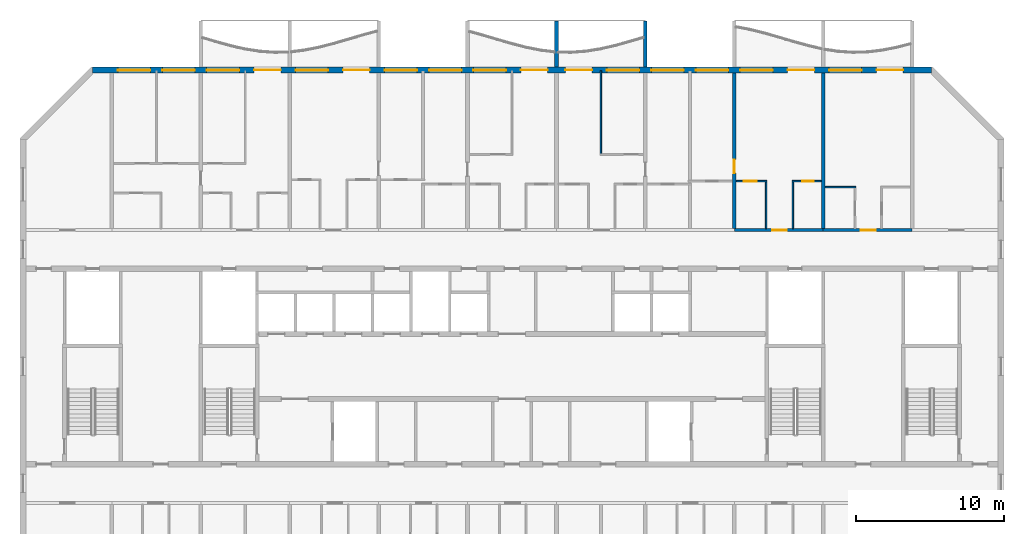
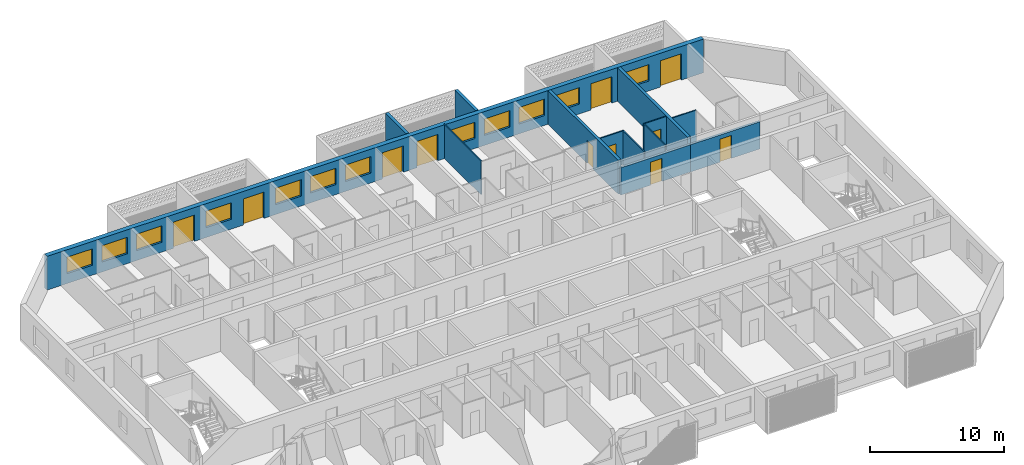
# One storey, part 10 of 27: 13 walls, 12 windows, 11 doors, 23 openings.
"""IFC4 building model written with IfcOpenShell, lengths in metres."""

from ifc_helpers import new_model, si_unit, direction, frame, frame_2d, origin, place, context, subcontext, project, spatial, polyline, rectangle, outline, extrude, source, transform, mapped, material, layer, layer_set, type_object, element, fill, save


model = new_model("IFC4")

# Units and contexts
model_context = context("Model", 3, precision=1e-05, world=origin(), true_north=direction((0.0, 1.0)))
body_context = subcontext(model_context, "Body", "Model", "MODEL_VIEW")
ifc_project = project(units=[si_unit("LENGTHUNIT", "METRE"), si_unit("AREAUNIT", "SQUARE_METRE"), si_unit("VOLUMEUNIT", "CUBIC_METRE"), si_unit("PLANEANGLEUNIT", "RADIAN"), si_unit("MASSUNIT", "GRAM", prefix="KILO")], contexts=[model_context])

# Site, building, storey
site_placement = place(None, origin())
site = spatial("IfcSite", under=ifc_project, at=site_placement, CompositionType="ELEMENT")
building_placement = place(site_placement, origin())
building = spatial("IfcBuilding", under=site, at=building_placement, Name="Poui Terraces", CompositionType="ELEMENT")
storey_placement = place(building_placement, frame((0.0, 0.0, 254.39990234375)))
storey = spatial("IfcBuildingStorey", under=building, at=storey_placement, Name="L71", CompositionType="ELEMENT", Elevation=254.39990234375)

# Wall, opening, door
ifc_material_1 = material(Name="Concrete 50 MPa", Category="concrete")
ifc_layer_1 = layer(ifc_material_1, 0.199951171875)
ifc_layer_set_1 = layer_set([ifc_layer_1], Name="Concrete 50 MPa")
wall_type_1 = type_object("IfcWallType", Name="CORRIDOR WALL 200 50MPa", PredefinedType="SHEAR", material=ifc_layer_set_1)
wall_1_placement = place(storey_placement, frame((66.0, 30.39990234375, 0.0), z_axis=(0.0, 0.0, 1.0), x_axis=(1.0, 0.0, 0.0)))
wall_1 = element("IfcWall", 1, at=wall_1_placement, inside=storey, type_object=wall_type_1, Name="CORRIDOR WALL LINE E BAY 9", PredefinedType="SHEAR", context=body_context, shape_type="SweptSolid", body=[
    extrude(rectangle(XDim=6.0, YDim=0.199951171875, at=frame_2d((3.0, 0.0))), origin(), (0.0, 0.0, 1.0), 2.47998046875),
])
opening_1_placement = place(wall_1_placement, frame((2.550048828125, 0.0, 0.0)))
opening_1 = element("IfcOpeningElement", 2, at=opening_1_placement, cuts=wall_1, Name="Opening FD30S", PredefinedType="OPENING", context=body_context, shape_type="SweptSolid", body=[
    extrude(rectangle(XDim=1.0, YDim=2.10009765625, at=frame_2d((0.5, 1.050048828125))), frame((0.0, 0.10986328125, 0.0), z_axis=(0.0, -1.0, 0.0), x_axis=(1.0, 0.0, 0.0)), (0.0, 0.0, 1.0), 0.219970703125),
])
ifc_material_2 = material(Name="Steel fire door", Category="steel")
door_type_1 = type_object("IfcDoorType", Name="FLAT ENTRANCE DOOR 1000 X 2100", OperationType="NOTDEFINED", PredefinedType="DOOR", material=ifc_material_2)
door_1_placement = place(opening_1_placement, origin())
door_1 = element("IfcDoor", 3, at=door_1_placement, inside=storey, type_object=door_type_1, Name="FLAT ENTRANCE DOOR 055", OperationType="SINGLE_SWING_RIGHT", OverallHeight=2.10009765625, OverallWidth=1.0, PredefinedType="DOOR", context=body_context, shape_type="SweptSolid", body=[
    extrude(rectangle(XDim=1.0, YDim=2.10009765625, at=frame_2d((0.5, 1.050048828125))), frame((0.0, 0.02490234375, 0.0), z_axis=(0.0, -1.0, 0.0), x_axis=(1.0, 0.0, 0.0)), (0.0, 0.0, 1.0), 0.050048828125),
])
fill(opening_1, door_1)

wall_2_placement = place(storey_placement, frame((72.0, 30.39990234375, 0.0), z_axis=(0.0, 0.0, 1.0), x_axis=(1.0, 0.0, 0.0)))
wall_2 = element("IfcWall", 4, at=wall_2_placement, inside=storey, type_object=wall_type_1, Name="CORRIDOR WALL LINE E BAY 10", PredefinedType="SHEAR", context=body_context, shape_type="SweptSolid", body=[
    extrude(rectangle(XDim=6.0, YDim=0.199951171875, at=frame_2d((3.0, 0.0))), origin(), (0.0, 0.0, 1.0), 2.47998046875),
])
opening_2_placement = place(wall_2_placement, frame((2.550048828125, 0.0, 0.0)))
opening_2 = element("IfcOpeningElement", 5, at=opening_2_placement, cuts=wall_2, Name="Opening FD30S", PredefinedType="OPENING", context=body_context, shape_type="SweptSolid", body=[
    extrude(rectangle(XDim=1.0, YDim=2.10009765625, at=frame_2d((0.5, 1.050048828125))), frame((0.0, 0.10986328125, 0.0), z_axis=(0.0, -1.0, 0.0), x_axis=(1.0, 0.0, 0.0)), (0.0, 0.0, 1.0), 0.219970703125),
])
door_2_placement = place(opening_2_placement, origin())
door_2 = element("IfcDoor", 6, at=door_2_placement, inside=storey, type_object=door_type_1, Name="FLAT ENTRANCE DOOR 058", OperationType="SINGLE_SWING_RIGHT", OverallHeight=2.10009765625, OverallWidth=1.0, PredefinedType="DOOR", context=body_context, shape_type="SweptSolid", body=[
    extrude(rectangle(XDim=1.0, YDim=2.10009765625, at=frame_2d((0.5, 1.050048828125))), frame((0.0, 0.02490234375, 0.0), z_axis=(0.0, -1.0, 0.0), x_axis=(1.0, 0.0, 0.0)), (0.0, 0.0, 1.0), 0.050048828125),
])
fill(opening_2, door_2)

ifc_layer_2 = layer(ifc_material_1, 0.25)
ifc_layer_set_2 = layer_set([ifc_layer_2], Name="Concrete 50 MPa")
wall_type_2 = type_object("IfcWallType", Name="CROSS WALL 250 50MPa", PredefinedType="SHEAR", material=ifc_layer_set_2)
wall_3_placement = place(storey_placement, frame((66.0, 30.5, 0.0), z_axis=(0.0, 0.0, 1.0), x_axis=(0.0, 1.0, 0.0)))
wall_3 = element("IfcWall", 7, at=wall_3_placement, inside=storey, type_object=wall_type_2, Name="CROSS WALL LINE 12 NORTH", PredefinedType="SHEAR", context=body_context, shape_type="SweptSolid", body=[
    extrude(rectangle(XDim=10.5, YDim=0.25, at=frame_2d((5.25, 0.0))), origin(), (0.0, 0.0, 1.0), 3.080078125),
])
opening_3_placement = place(wall_3_placement, frame((3.75, 0.0, 0.0)))
opening_3 = element("IfcOpeningElement", 8, at=opening_3_placement, cuts=wall_3, Name="Opening D90", PredefinedType="OPENING", context=body_context, shape_type="SweptSolid", body=[
    extrude(rectangle(XDim=0.89990234375, YDim=2.10009765625, at=frame_2d((0.449951171875, 1.050048828125))), frame((0.0, 0.135009765625, 0.0), z_axis=(0.0, -1.0, 0.0), x_axis=(1.0, 0.0, 0.0)), (0.0, 0.0, 1.0), 0.27001953125),
])
ifc_material_3 = material(Name="Solid core timber door", Category="wood")
door_type_2 = type_object("IfcDoorType", Name="INTERNAL DOOR 900 X 2100", OperationType="NOTDEFINED", PredefinedType="DOOR", material=ifc_material_3)
door_3_placement = place(opening_3_placement, origin())
door_3 = element("IfcDoor", 9, at=door_3_placement, inside=storey, type_object=door_type_2, Name="INTERNAL DOOR 053", OperationType="SINGLE_SWING_LEFT", OverallHeight=2.10009765625, OverallWidth=0.89990234375, PredefinedType="DOOR", context=body_context, shape_type="SweptSolid", body=[
    extrude(rectangle(XDim=0.89990234375, YDim=2.10009765625, at=frame_2d((0.449951171875, 1.050048828125))), frame((0.0, 0.02490234375, 0.0), z_axis=(0.0, -1.0, 0.0), x_axis=(1.0, 0.0, 0.0)), (0.0, 0.0, 1.0), 0.050048828125),
])
fill(opening_3, door_3)

# Wall
wall_4_placement = place(storey_placement, frame((72.0, 30.5, 0.0), z_axis=(0.0, 0.0, 1.0), x_axis=(0.0, 1.0, 0.0)))
element("IfcWall", 10, at=wall_4_placement, inside=storey, type_object=wall_type_2, Name="CROSS WALL LINE 13 NORTH", PredefinedType="SHEAR", context=body_context, shape_type="SweptSolid", body=[
    extrude(rectangle(XDim=10.5, YDim=0.25, at=frame_2d((5.25, 0.0))), origin(), (0.0, 0.0, 1.0), 3.080078125),
])

# Wall, openings, doors, windows
ifc_material_4 = material(Name="Precast concrete 40 MPa", Category="concrete")
ifc_layer_3 = layer(ifc_material_4, 0.39990234375)
ifc_layer_set_3 = layer_set([ifc_layer_3], Name="Precast concrete 40 MPa")
wall_type_3 = type_object("IfcWallType", Name="EXTERNAL WALL 400", PredefinedType="STANDARD", material=ifc_layer_set_3)
wall_5_placement = place(storey_placement, frame((79.317138671875, 41.199951171875, 0.0), z_axis=(0.0, 0.0, 1.0), x_axis=(-1.0, 0.0, 0.0)))
wall_5 = element("IfcWall", 11, at=wall_5_placement, inside=storey, type_object=wall_type_3, Name="EXTERNAL WALL N", PredefinedType="STANDARD", context=body_context, shape_type="SweptSolid", body=[
    extrude(rectangle(XDim=56.63427734375, YDim=0.39990234375, at=frame_2d((28.317138671875, 0.0))), origin(), (0.0, 0.0, 1.0), 3.080078125),
])
opening_4_placement = place(wall_5_placement, frame((52.71728515625, 0.0, 0.89990234375)))
opening_4 = element("IfcOpeningElement", 12, at=opening_4_placement, cuts=wall_5, Name="Opening W1", PredefinedType="OPENING", context=body_context, shape_type="SweptSolid", body=[
    extrude(rectangle(XDim=2.199951171875, YDim=1.5, at=frame_2d((1.10009765625, 0.75))), frame((0.0, 0.2099609375, 0.0), z_axis=(0.0, -1.0, 0.0), x_axis=(1.0, 0.0, 0.0)), (0.0, 0.0, 1.0), 0.419921875),
])
opening_5_placement = place(wall_5_placement, frame((49.71728515625, 0.0, 0.89990234375)))
opening_5 = element("IfcOpeningElement", 13, at=opening_5_placement, cuts=wall_5, Name="Opening W1", PredefinedType="OPENING", context=body_context, shape_type="SweptSolid", body=[
    extrude(rectangle(XDim=2.199951171875, YDim=1.5, at=frame_2d((1.10009765625, 0.75))), frame((0.0, 0.2099609375, 0.0), z_axis=(0.0, -1.0, 0.0), x_axis=(1.0, 0.0, 0.0)), (0.0, 0.0, 1.0), 0.419921875),
])
opening_6_placement = place(wall_5_placement, frame((46.71728515625, 0.0, 0.89990234375)))
opening_6 = element("IfcOpeningElement", 14, at=opening_6_placement, cuts=wall_5, Name="Opening W1", PredefinedType="OPENING", context=body_context, shape_type="SweptSolid", body=[
    extrude(rectangle(XDim=2.199951171875, YDim=1.5, at=frame_2d((1.10009765625, 0.75))), frame((0.0, 0.2099609375, 0.0), z_axis=(0.0, -1.0, 0.0), x_axis=(1.0, 0.0, 0.0)), (0.0, 0.0, 1.0), 0.419921875),
])
opening_7_placement = place(wall_5_placement, frame((43.917236328125, 0.0, 0.0)))
opening_7 = element("IfcOpeningElement", 15, at=opening_7_placement, cuts=wall_5, Name="Opening BD1", PredefinedType="OPENING", context=body_context, shape_type="SweptSolid", body=[
    extrude(rectangle(XDim=1.800048828125, YDim=2.39990234375, at=frame_2d((0.89990234375, 1.199951171875))), frame((0.0, 0.2099609375, 0.0), z_axis=(0.0, -1.0, 0.0), x_axis=(1.0, 0.0, 0.0)), (0.0, 0.0, 1.0), 0.419921875),
])
opening_8_placement = place(wall_5_placement, frame((40.71728515625, 0.0, 0.89990234375)))
opening_8 = element("IfcOpeningElement", 16, at=opening_8_placement, cuts=wall_5, Name="Opening W1", PredefinedType="OPENING", context=body_context, shape_type="SweptSolid", body=[
    extrude(rectangle(XDim=2.199951171875, YDim=1.5, at=frame_2d((1.10009765625, 0.75))), frame((0.0, 0.2099609375, 0.0), z_axis=(0.0, -1.0, 0.0), x_axis=(1.0, 0.0, 0.0)), (0.0, 0.0, 1.0), 0.419921875),
])
opening_9_placement = place(wall_5_placement, frame((37.917236328125, 0.0, 0.0)))
opening_9 = element("IfcOpeningElement", 17, at=opening_9_placement, cuts=wall_5, Name="Opening BD1", PredefinedType="OPENING", context=body_context, shape_type="SweptSolid", body=[
    extrude(rectangle(XDim=1.800048828125, YDim=2.39990234375, at=frame_2d((0.89990234375, 1.199951171875))), frame((0.0, 0.2099609375, 0.0), z_axis=(0.0, -1.0, 0.0), x_axis=(1.0, 0.0, 0.0)), (0.0, 0.0, 1.0), 0.419921875),
])
opening_10_placement = place(wall_5_placement, frame((34.71728515625, 0.0, 0.89990234375)))
opening_10 = element("IfcOpeningElement", 18, at=opening_10_placement, cuts=wall_5, Name="Opening W1", PredefinedType="OPENING", context=body_context, shape_type="SweptSolid", body=[
    extrude(rectangle(XDim=2.199951171875, YDim=1.5, at=frame_2d((1.10009765625, 0.75))), frame((0.0, 0.2099609375, 0.0), z_axis=(0.0, -1.0, 0.0), x_axis=(1.0, 0.0, 0.0)), (0.0, 0.0, 1.0), 0.419921875),
])
opening_11_placement = place(wall_5_placement, frame((31.71728515625, 0.0, 0.89990234375)))
opening_11 = element("IfcOpeningElement", 19, at=opening_11_placement, cuts=wall_5, Name="Opening W1", PredefinedType="OPENING", context=body_context, shape_type="SweptSolid", body=[
    extrude(rectangle(XDim=2.199951171875, YDim=1.5, at=frame_2d((1.10009765625, 0.75))), frame((0.0, 0.2099609375, 0.0), z_axis=(0.0, -1.0, 0.0), x_axis=(1.0, 0.0, 0.0)), (0.0, 0.0, 1.0), 0.419921875),
])
opening_12_placement = place(wall_5_placement, frame((28.71728515625, 0.0, 0.89990234375)))
opening_12 = element("IfcOpeningElement", 20, at=opening_12_placement, cuts=wall_5, Name="Opening W1", PredefinedType="OPENING", context=body_context, shape_type="SweptSolid", body=[
    extrude(rectangle(XDim=2.199951171875, YDim=1.5, at=frame_2d((1.10009765625, 0.75))), frame((0.0, 0.2099609375, 0.0), z_axis=(0.0, -1.0, 0.0), x_axis=(1.0, 0.0, 0.0)), (0.0, 0.0, 1.0), 0.419921875),
])
opening_13_placement = place(wall_5_placement, frame((25.917236328125, 0.0, 0.0)))
opening_13 = element("IfcOpeningElement", 21, at=opening_13_placement, cuts=wall_5, Name="Opening BD1", PredefinedType="OPENING", context=body_context, shape_type="SweptSolid", body=[
    extrude(rectangle(XDim=1.800048828125, YDim=2.39990234375, at=frame_2d((0.89990234375, 1.199951171875))), frame((0.0, 0.2099609375, 0.0), z_axis=(0.0, -1.0, 0.0), x_axis=(1.0, 0.0, 0.0)), (0.0, 0.0, 1.0), 0.419921875),
])
opening_14_placement = place(wall_5_placement, frame((22.917236328125, 0.0, 0.0)))
opening_14 = element("IfcOpeningElement", 22, at=opening_14_placement, cuts=wall_5, Name="Opening BD1", PredefinedType="OPENING", context=body_context, shape_type="SweptSolid", body=[
    extrude(rectangle(XDim=1.800048828125, YDim=2.39990234375, at=frame_2d((0.89990234375, 1.199951171875))), frame((0.0, 0.2099609375, 0.0), z_axis=(0.0, -1.0, 0.0), x_axis=(1.0, 0.0, 0.0)), (0.0, 0.0, 1.0), 0.419921875),
])
opening_15_placement = place(wall_5_placement, frame((19.71728515625, 0.0, 0.89990234375)))
opening_15 = element("IfcOpeningElement", 23, at=opening_15_placement, cuts=wall_5, Name="Opening W1", PredefinedType="OPENING", context=body_context, shape_type="SweptSolid", body=[
    extrude(rectangle(XDim=2.199951171875, YDim=1.5, at=frame_2d((1.10009765625, 0.75))), frame((0.0, 0.2099609375, 0.0), z_axis=(0.0, -1.0, 0.0), x_axis=(1.0, 0.0, 0.0)), (0.0, 0.0, 1.0), 0.419921875),
])
opening_16_placement = place(wall_5_placement, frame((16.71728515625, 0.0, 0.89990234375)))
opening_16 = element("IfcOpeningElement", 24, at=opening_16_placement, cuts=wall_5, Name="Opening W1", PredefinedType="OPENING", context=body_context, shape_type="SweptSolid", body=[
    extrude(rectangle(XDim=2.199951171875, YDim=1.5, at=frame_2d((1.10009765625, 0.75))), frame((0.0, 0.2099609375, 0.0), z_axis=(0.0, -1.0, 0.0), x_axis=(1.0, 0.0, 0.0)), (0.0, 0.0, 1.0), 0.419921875),
])
opening_17_placement = place(wall_5_placement, frame((13.71728515625, 0.0, 0.89990234375)))
opening_17 = element("IfcOpeningElement", 25, at=opening_17_placement, cuts=wall_5, Name="Opening W1", PredefinedType="OPENING", context=body_context, shape_type="SweptSolid", body=[
    extrude(rectangle(XDim=2.199951171875, YDim=1.5, at=frame_2d((1.10009765625, 0.75))), frame((0.0, 0.2099609375, 0.0), z_axis=(0.0, -1.0, 0.0), x_axis=(1.0, 0.0, 0.0)), (0.0, 0.0, 1.0), 0.419921875),
])
opening_18_placement = place(wall_5_placement, frame((10.71728515625, 0.0, 0.89990234375)))
opening_18 = element("IfcOpeningElement", 26, at=opening_18_placement, cuts=wall_5, Name="Opening W1", PredefinedType="OPENING", context=body_context, shape_type="SweptSolid", body=[
    extrude(rectangle(XDim=2.199951171875, YDim=1.5, at=frame_2d((1.10009765625, 0.75))), frame((0.0, 0.2099609375, 0.0), z_axis=(0.0, -1.0, 0.0), x_axis=(1.0, 0.0, 0.0)), (0.0, 0.0, 1.0), 0.419921875),
])
opening_19_placement = place(wall_5_placement, frame((7.917236328125, 0.0, 0.0)))
opening_19 = element("IfcOpeningElement", 27, at=opening_19_placement, cuts=wall_5, Name="Opening BD1", PredefinedType="OPENING", context=body_context, shape_type="SweptSolid", body=[
    extrude(rectangle(XDim=1.800048828125, YDim=2.39990234375, at=frame_2d((0.89990234375, 1.199951171875))), frame((0.0, 0.2099609375, 0.0), z_axis=(0.0, -1.0, 0.0), x_axis=(1.0, 0.0, 0.0)), (0.0, 0.0, 1.0), 0.419921875),
])
opening_20_placement = place(wall_5_placement, frame((4.71728515625, 0.0, 0.89990234375)))
opening_20 = element("IfcOpeningElement", 28, at=opening_20_placement, cuts=wall_5, Name="Opening W1", PredefinedType="OPENING", context=body_context, shape_type="SweptSolid", body=[
    extrude(rectangle(XDim=2.199951171875, YDim=1.5, at=frame_2d((1.10009765625, 0.75))), frame((0.0, 0.2099609375, 0.0), z_axis=(0.0, -1.0, 0.0), x_axis=(1.0, 0.0, 0.0)), (0.0, 0.0, 1.0), 0.419921875),
])
opening_21_placement = place(wall_5_placement, frame((1.917236328125, 0.0, 0.0)))
opening_21 = element("IfcOpeningElement", 29, at=opening_21_placement, cuts=wall_5, Name="Opening BD1", PredefinedType="OPENING", context=body_context, shape_type="SweptSolid", body=[
    extrude(rectangle(XDim=1.800048828125, YDim=2.39990234375, at=frame_2d((0.89990234375, 1.199951171875))), frame((0.0, 0.2099609375, 0.0), z_axis=(0.0, -1.0, 0.0), x_axis=(1.0, 0.0, 0.0)), (0.0, 0.0, 1.0), 0.419921875),
])
ifc_material_5 = material(Name="Clear glass in aluminium frame", Category="aluminium")
door_type_3 = type_object("IfcDoorType", Name="BALCONY DOOR 1800X2400", OperationType="DOUBLE_DOOR_SLIDING", PredefinedType="DOOR", material=ifc_material_5)
door_4_placement = place(opening_7_placement, origin())
door_4 = element("IfcDoor", 30, at=door_4_placement, inside=storey, type_object=door_type_3, Name="BD1 BALCONY DOOR", OperationType="DOUBLE_DOOR_SLIDING", OverallHeight=2.39990234375, OverallWidth=1.800048828125, PredefinedType="DOOR", context=body_context, shape_type="SweptSolid", body=[
    extrude(rectangle(XDim=1.800048828125, YDim=2.39990234375, at=frame_2d((0.89990234375, 1.199951171875))), frame((0.0, 0.02490234375, 0.0), z_axis=(0.0, -1.0, 0.0), x_axis=(1.0, 0.0, 0.0)), (0.0, 0.0, 1.0), 0.050048828125),
])
fill(opening_7, door_4)
door_5_placement = place(opening_9_placement, origin())
door_5 = element("IfcDoor", 31, at=door_5_placement, inside=storey, type_object=door_type_3, Name="BD1 BALCONY DOOR", OperationType="DOUBLE_DOOR_SLIDING", OverallHeight=2.39990234375, OverallWidth=1.800048828125, PredefinedType="DOOR", context=body_context, shape_type="SweptSolid", body=[
    extrude(rectangle(XDim=1.800048828125, YDim=2.39990234375, at=frame_2d((0.89990234375, 1.199951171875))), frame((0.0, 0.02490234375, 0.0), z_axis=(0.0, -1.0, 0.0), x_axis=(1.0, 0.0, 0.0)), (0.0, 0.0, 1.0), 0.050048828125),
])
fill(opening_9, door_5)
door_6_placement = place(opening_13_placement, origin())
door_6 = element("IfcDoor", 32, at=door_6_placement, inside=storey, type_object=door_type_3, Name="BD1 BALCONY DOOR", OperationType="DOUBLE_DOOR_SLIDING", OverallHeight=2.39990234375, OverallWidth=1.800048828125, PredefinedType="DOOR", context=body_context, shape_type="SweptSolid", body=[
    extrude(rectangle(XDim=1.800048828125, YDim=2.39990234375, at=frame_2d((0.89990234375, 1.199951171875))), frame((0.0, 0.02490234375, 0.0), z_axis=(0.0, -1.0, 0.0), x_axis=(1.0, 0.0, 0.0)), (0.0, 0.0, 1.0), 0.050048828125),
])
fill(opening_13, door_6)
door_7_placement = place(opening_14_placement, origin())
door_7 = element("IfcDoor", 33, at=door_7_placement, inside=storey, type_object=door_type_3, Name="BD1 BALCONY DOOR", OperationType="DOUBLE_DOOR_SLIDING", OverallHeight=2.39990234375, OverallWidth=1.800048828125, PredefinedType="DOOR", context=body_context, shape_type="SweptSolid", body=[
    extrude(rectangle(XDim=1.800048828125, YDim=2.39990234375, at=frame_2d((0.89990234375, 1.199951171875))), frame((0.0, 0.02490234375, 0.0), z_axis=(0.0, -1.0, 0.0), x_axis=(1.0, 0.0, 0.0)), (0.0, 0.0, 1.0), 0.050048828125),
])
fill(opening_14, door_7)
door_8_placement = place(opening_19_placement, origin())
door_8 = element("IfcDoor", 34, at=door_8_placement, inside=storey, type_object=door_type_3, Name="BD1 BALCONY DOOR", OperationType="DOUBLE_DOOR_SLIDING", OverallHeight=2.39990234375, OverallWidth=1.800048828125, PredefinedType="DOOR", context=body_context, shape_type="SweptSolid", body=[
    extrude(rectangle(XDim=1.800048828125, YDim=2.39990234375, at=frame_2d((0.89990234375, 1.199951171875))), frame((0.0, 0.02490234375, 0.0), z_axis=(0.0, -1.0, 0.0), x_axis=(1.0, 0.0, 0.0)), (0.0, 0.0, 1.0), 0.050048828125),
])
fill(opening_19, door_8)
door_9_placement = place(opening_21_placement, origin())
door_9 = element("IfcDoor", 35, at=door_9_placement, inside=storey, type_object=door_type_3, Name="BD1 BALCONY DOOR", OperationType="DOUBLE_DOOR_SLIDING", OverallHeight=2.39990234375, OverallWidth=1.800048828125, PredefinedType="DOOR", context=body_context, shape_type="SweptSolid", body=[
    extrude(rectangle(XDim=1.800048828125, YDim=2.39990234375, at=frame_2d((0.89990234375, 1.199951171875))), frame((0.0, 0.02490234375, 0.0), z_axis=(0.0, -1.0, 0.0), x_axis=(1.0, 0.0, 0.0)), (0.0, 0.0, 1.0), 0.050048828125),
])
fill(opening_21, door_9)
window_type = type_object("IfcWindowType", Name="WINDOW 2200X1500", PartitioningType="DOUBLE_PANEL_HORIZONTAL", PredefinedType="WINDOW", material=ifc_material_5)
window_1_placement = place(opening_4_placement, origin())
window_1 = element("IfcWindow", 36, at=window_1_placement, inside=storey, type_object=window_type, Name="W1 WINDOW", OverallHeight=1.5, OverallWidth=2.199951171875, PartitioningType="DOUBLE_PANEL_HORIZONTAL", PredefinedType="WINDOW", context=body_context, shape_type="SweptSolid", body=[
    extrude(rectangle(XDim=2.199951171875, YDim=1.5, at=frame_2d((1.10009765625, 0.75))), frame((0.0, 0.030029296875, 0.0), z_axis=(0.0, -1.0, 0.0), x_axis=(1.0, 0.0, 0.0)), (0.0, 0.0, 1.0), 0.06005859375),
])
fill(opening_4, window_1)
window_2_placement = place(opening_5_placement, origin())
window_2 = element("IfcWindow", 37, at=window_2_placement, inside=storey, type_object=window_type, Name="W1 WINDOW", OverallHeight=1.5, OverallWidth=2.199951171875, PartitioningType="DOUBLE_PANEL_HORIZONTAL", PredefinedType="WINDOW", context=body_context, shape_type="SweptSolid", body=[
    extrude(rectangle(XDim=2.199951171875, YDim=1.5, at=frame_2d((1.10009765625, 0.75))), frame((0.0, 0.030029296875, 0.0), z_axis=(0.0, -1.0, 0.0), x_axis=(1.0, 0.0, 0.0)), (0.0, 0.0, 1.0), 0.06005859375),
])
fill(opening_5, window_2)
window_3_placement = place(opening_6_placement, origin())
window_3 = element("IfcWindow", 38, at=window_3_placement, inside=storey, type_object=window_type, Name="W1 WINDOW", OverallHeight=1.5, OverallWidth=2.199951171875, PartitioningType="DOUBLE_PANEL_HORIZONTAL", PredefinedType="WINDOW", context=body_context, shape_type="SweptSolid", body=[
    extrude(rectangle(XDim=2.199951171875, YDim=1.5, at=frame_2d((1.10009765625, 0.75))), frame((0.0, 0.030029296875, 0.0), z_axis=(0.0, -1.0, 0.0), x_axis=(1.0, 0.0, 0.0)), (0.0, 0.0, 1.0), 0.06005859375),
])
fill(opening_6, window_3)
window_4_placement = place(opening_8_placement, origin())
window_4 = element("IfcWindow", 39, at=window_4_placement, inside=storey, type_object=window_type, Name="W1 WINDOW", OverallHeight=1.5, OverallWidth=2.199951171875, PartitioningType="DOUBLE_PANEL_HORIZONTAL", PredefinedType="WINDOW", context=body_context, shape_type="SweptSolid", body=[
    extrude(rectangle(XDim=2.199951171875, YDim=1.5, at=frame_2d((1.10009765625, 0.75))), frame((0.0, 0.030029296875, 0.0), z_axis=(0.0, -1.0, 0.0), x_axis=(1.0, 0.0, 0.0)), (0.0, 0.0, 1.0), 0.06005859375),
])
fill(opening_8, window_4)
window_5_placement = place(opening_10_placement, origin())
window_5 = element("IfcWindow", 40, at=window_5_placement, inside=storey, type_object=window_type, Name="W1 WINDOW", OverallHeight=1.5, OverallWidth=2.199951171875, PartitioningType="DOUBLE_PANEL_HORIZONTAL", PredefinedType="WINDOW", context=body_context, shape_type="SweptSolid", body=[
    extrude(rectangle(XDim=2.199951171875, YDim=1.5, at=frame_2d((1.10009765625, 0.75))), frame((0.0, 0.030029296875, 0.0), z_axis=(0.0, -1.0, 0.0), x_axis=(1.0, 0.0, 0.0)), (0.0, 0.0, 1.0), 0.06005859375),
])
fill(opening_10, window_5)
window_6_placement = place(opening_11_placement, origin())
window_6 = element("IfcWindow", 41, at=window_6_placement, inside=storey, type_object=window_type, Name="W1 WINDOW", OverallHeight=1.5, OverallWidth=2.199951171875, PartitioningType="DOUBLE_PANEL_HORIZONTAL", PredefinedType="WINDOW", context=body_context, shape_type="SweptSolid", body=[
    extrude(rectangle(XDim=2.199951171875, YDim=1.5, at=frame_2d((1.10009765625, 0.75))), frame((0.0, 0.030029296875, 0.0), z_axis=(0.0, -1.0, 0.0), x_axis=(1.0, 0.0, 0.0)), (0.0, 0.0, 1.0), 0.06005859375),
])
fill(opening_11, window_6)
window_7_placement = place(opening_12_placement, origin())
window_7 = element("IfcWindow", 42, at=window_7_placement, inside=storey, type_object=window_type, Name="W1 WINDOW", OverallHeight=1.5, OverallWidth=2.199951171875, PartitioningType="DOUBLE_PANEL_HORIZONTAL", PredefinedType="WINDOW", context=body_context, shape_type="SweptSolid", body=[
    extrude(rectangle(XDim=2.199951171875, YDim=1.5, at=frame_2d((1.10009765625, 0.75))), frame((0.0, 0.030029296875, 0.0), z_axis=(0.0, -1.0, 0.0), x_axis=(1.0, 0.0, 0.0)), (0.0, 0.0, 1.0), 0.06005859375),
])
fill(opening_12, window_7)
window_8_placement = place(opening_15_placement, origin())
window_8 = element("IfcWindow", 43, at=window_8_placement, inside=storey, type_object=window_type, Name="W1 WINDOW", OverallHeight=1.5, OverallWidth=2.199951171875, PartitioningType="DOUBLE_PANEL_HORIZONTAL", PredefinedType="WINDOW", context=body_context, shape_type="SweptSolid", body=[
    extrude(rectangle(XDim=2.199951171875, YDim=1.5, at=frame_2d((1.10009765625, 0.75))), frame((0.0, 0.030029296875, 0.0), z_axis=(0.0, -1.0, 0.0), x_axis=(1.0, 0.0, 0.0)), (0.0, 0.0, 1.0), 0.06005859375),
])
fill(opening_15, window_8)
window_9_placement = place(opening_16_placement, origin())
window_9 = element("IfcWindow", 44, at=window_9_placement, inside=storey, type_object=window_type, Name="W1 WINDOW", OverallHeight=1.5, OverallWidth=2.199951171875, PartitioningType="DOUBLE_PANEL_HORIZONTAL", PredefinedType="WINDOW", context=body_context, shape_type="SweptSolid", body=[
    extrude(rectangle(XDim=2.199951171875, YDim=1.5, at=frame_2d((1.10009765625, 0.75))), frame((0.0, 0.030029296875, 0.0), z_axis=(0.0, -1.0, 0.0), x_axis=(1.0, 0.0, 0.0)), (0.0, 0.0, 1.0), 0.06005859375),
])
fill(opening_16, window_9)
window_10_placement = place(opening_17_placement, origin())
window_10 = element("IfcWindow", 45, at=window_10_placement, inside=storey, type_object=window_type, Name="W1 WINDOW", OverallHeight=1.5, OverallWidth=2.199951171875, PartitioningType="DOUBLE_PANEL_HORIZONTAL", PredefinedType="WINDOW", context=body_context, shape_type="SweptSolid", body=[
    extrude(rectangle(XDim=2.199951171875, YDim=1.5, at=frame_2d((1.10009765625, 0.75))), frame((0.0, 0.030029296875, 0.0), z_axis=(0.0, -1.0, 0.0), x_axis=(1.0, 0.0, 0.0)), (0.0, 0.0, 1.0), 0.06005859375),
])
fill(opening_17, window_10)
window_11_placement = place(opening_18_placement, origin())
window_11 = element("IfcWindow", 46, at=window_11_placement, inside=storey, type_object=window_type, Name="W1 WINDOW", OverallHeight=1.5, OverallWidth=2.199951171875, PartitioningType="DOUBLE_PANEL_HORIZONTAL", PredefinedType="WINDOW", context=body_context, shape_type="SweptSolid", body=[
    extrude(rectangle(XDim=2.199951171875, YDim=1.5, at=frame_2d((1.10009765625, 0.75))), frame((0.0, 0.030029296875, 0.0), z_axis=(0.0, -1.0, 0.0), x_axis=(1.0, 0.0, 0.0)), (0.0, 0.0, 1.0), 0.06005859375),
])
fill(opening_18, window_11)
window_12_placement = place(opening_20_placement, origin())
window_12 = element("IfcWindow", 47, at=window_12_placement, inside=storey, type_object=window_type, Name="W1 WINDOW", OverallHeight=1.5, OverallWidth=2.199951171875, PartitioningType="DOUBLE_PANEL_HORIZONTAL", PredefinedType="WINDOW", context=body_context, shape_type="SweptSolid", body=[
    extrude(rectangle(XDim=2.199951171875, YDim=1.5, at=frame_2d((1.10009765625, 0.75))), frame((0.0, 0.030029296875, 0.0), z_axis=(0.0, -1.0, 0.0), x_axis=(1.0, 0.0, 0.0)), (0.0, 0.0, 1.0), 0.06005859375),
])
fill(opening_20, window_12)

# Wall
ifc_material_6 = material(Name="Plasterboard partition")
ifc_layer_4 = layer(ifc_material_6, 0.10009765625)
ifc_layer_set_4 = layer_set([ifc_layer_4], Name="Plasterboard partition")
wall_type_4 = type_object("IfcWallType", Name="FLAT PARTITION 100", PredefinedType="PARTITIONING", material=ifc_layer_set_4)
wall_6_placement = place(storey_placement, frame((72.135009765625, 33.300048828125, 0.0), z_axis=(0.0, 0.0, 1.0), x_axis=(1.0, 0.0, 0.0)))
element("IfcWall", 48, at=wall_6_placement, inside=storey, type_object=wall_type_4, Name="FLAT PARTITION 100", PredefinedType="PARTITIONING", context=body_context, shape_type="SweptSolid", body=[
    extrude(rectangle(XDim=2.06494140625, YDim=0.10009765625, at=frame_2d((1.032470703125, 0.0))), origin(), (0.0, 0.0, 1.0), 3.080078125),
])

# Wall, opening, door
wall_7_placement = place(storey_placement, frame((66.135009765625, 33.699951171875, 0.0), z_axis=(0.0, 0.0, 1.0), x_axis=(1.0, 0.0, 0.0)))
wall_7 = element("IfcWall", 49, at=wall_7_placement, inside=storey, type_object=wall_type_4, Name="FLAT PARTITION 100", PredefinedType="PARTITIONING", context=body_context, shape_type="SweptSolid", body=[
    extrude(rectangle(XDim=2.06494140625, YDim=0.10009765625, at=frame_2d((1.032470703125, 0.0))), origin(), (0.0, 0.0, 1.0), 3.080078125),
])
opening_22_placement = place(wall_7_placement, frame((0.489990234375, 0.0, 0.0)))
opening_22 = element("IfcOpeningElement", 50, at=opening_22_placement, cuts=wall_7, Name="Opening D90", PredefinedType="OPENING", context=body_context, shape_type="SweptSolid", body=[
    extrude(rectangle(XDim=0.89990234375, YDim=2.10009765625, at=frame_2d((0.449951171875, 1.050048828125))), frame((0.0, 0.06005859375, 0.0), z_axis=(0.0, -1.0, 0.0), x_axis=(1.0, 0.0, 0.0)), (0.0, 0.0, 1.0), 0.1201171875),
])
door_10_placement = place(opening_22_placement, frame((0.89990234375, 0.0, 0.0), z_axis=(0.0, 0.0, 1.0), x_axis=(-1.0, 0.0, 0.0)))
door_10 = element("IfcDoor", 51, at=door_10_placement, inside=storey, type_object=door_type_2, Name="INTERNAL DOOR 054", OperationType="SINGLE_SWING_RIGHT", OverallHeight=2.10009765625, OverallWidth=0.89990234375, PredefinedType="DOOR", context=body_context, shape_type="SweptSolid", body=[
    extrude(rectangle(XDim=0.89990234375, YDim=2.10009765625, at=frame_2d((0.449951171875, 1.050048828125))), frame((0.0, 0.02490234375, 0.0), z_axis=(0.0, -1.0, 0.0), x_axis=(1.0, 0.0, 0.0)), (0.0, 0.0, 1.0), 0.050048828125),
])
fill(opening_22, door_10)

wall_8_placement = place(storey_placement, frame((69.89990234375, 33.699951171875, 0.0), z_axis=(0.0, 0.0, 1.0), x_axis=(1.0, 0.0, 0.0)))
wall_8 = element("IfcWall", 52, at=wall_8_placement, inside=storey, type_object=wall_type_4, Name="FLAT PARTITION 100", PredefinedType="PARTITIONING", context=body_context, shape_type="SweptSolid", body=[
    extrude(rectangle(XDim=1.965087890625, YDim=0.10009765625, at=frame_2d((0.982421875, 0.0))), origin(), (0.0, 0.0, 1.0), 3.080078125),
])
opening_23_placement = place(wall_8_placement, frame((0.675048828125, 0.0, 0.0)))
opening_23 = element("IfcOpeningElement", 53, at=opening_23_placement, cuts=wall_8, Name="Opening D80", PredefinedType="OPENING", context=body_context, shape_type="SweptSolid", body=[
    extrude(rectangle(XDim=0.800048828125, YDim=2.10009765625, at=frame_2d((0.39990234375, 1.050048828125))), frame((0.0, 0.06005859375, 0.0), z_axis=(0.0, -1.0, 0.0), x_axis=(1.0, 0.0, 0.0)), (0.0, 0.0, 1.0), 0.1201171875),
])
door_type_4 = type_object("IfcDoorType", Name="BATHROOM, LAUNDRY AND STORE DOOR 800 X 2100", OperationType="NOTDEFINED", PredefinedType="DOOR", material=ifc_material_3)
door_11_placement = place(opening_23_placement, frame((0.800048828125, 0.0, 0.0), z_axis=(0.0, 0.0, 1.0), x_axis=(-1.0, 0.0, 0.0)))
door_11 = element("IfcDoor", 54, at=door_11_placement, inside=storey, type_object=door_type_4, Name="BATHROOM, LAUNDRY AND STORE DOOR 056", OperationType="SINGLE_SWING_LEFT", OverallHeight=2.10009765625, OverallWidth=0.800048828125, PredefinedType="DOOR", context=body_context, shape_type="SweptSolid", body=[
    extrude(rectangle(XDim=0.800048828125, YDim=2.10009765625, at=frame_2d((0.39990234375, 1.050048828125))), frame((0.0, 0.02490234375, 0.0), z_axis=(0.0, -1.0, 0.0), x_axis=(1.0, 0.0, 0.0)), (0.0, 0.0, 1.0), 0.050048828125),
])
fill(opening_23, door_11)

# Walls
wall_9_placement = place(storey_placement, frame((57.0, 35.550048828125, 0.0), z_axis=(0.0, 0.0, 1.0), x_axis=(0.0, 1.0, 0.0)))
element("IfcWall", 55, at=wall_9_placement, inside=storey, type_object=wall_type_4, Name="FLAT PARTITION 100", PredefinedType="PARTITIONING", context=body_context, shape_type="SweptSolid", body=[
    extrude(rectangle(XDim=5.58984375, YDim=0.10009765625, at=frame_2d((2.794921875, 0.0))), origin(), (0.0, 0.0, 1.0), 3.080078125),
])
for number, where, z_axis, x_axis, name in (
    (56, (68.14990234375, 30.510009765625, 0.0), (0.0, 0.0, 1.0), (0.0, 1.0, 0.0), "FLAT PARTITION 100"),
    (57, (69.949951171875, 30.510009765625, 0.0), (0.0, 0.0, 1.0), (0.0, 1.0, 0.0), "FLAT PARTITION 100"),
):
    element("IfcWall", number, at=place(storey_placement, frame(where, z_axis=z_axis, x_axis=x_axis)), inside=storey, type_object=wall_type_4, Name=name, PredefinedType="PARTITIONING", context=body_context, shape_type="SweptSolid", body=[
        extrude(rectangle(XDim=3.139892578125, YDim=0.10009765625, at=frame_2d((1.56982421875, 0.0))), origin(), (0.0, 0.0, 1.0), 3.080078125),
    ])
ifc_layer_5 = layer(ifc_material_4, 0.25)
ifc_layer_set_5 = layer_set([ifc_layer_5], Name="Precast concrete 40 MPa")
wall_type_5 = type_object("IfcWallType", Name="BALCONY FIN 250", PredefinedType="STANDARD", material=ifc_layer_set_5)
shared_shape = source(origin(), body_context, "Body", "SweptSolid", [
    extrude(outline(polyline([(0.0, 0.0), (0.25, 0.0), (0.25, 3.10009765625), (0.0, 3.10009765625), (0.0, 0.0)])), origin(), (0.0, 0.0, 1.0), 3.10009765625),
])
for number, where, name in (
    (58, (53.875, 41.39990234375, 0.0), "BALCONY FIN"),
    (59, (59.875, 41.39990234375, 0.0), "BALCONY FIN"),
):
    element("IfcWall", number, at=place(storey_placement, frame(where)), inside=storey, type_object=wall_type_5, Name=name, PredefinedType="STANDARD", context=body_context, shape_type="MappedRepresentation", body=[
        mapped(shared_shape, transform((0.0, 0.0, 0.0))),
    ])

save(model, "model.ifc")
